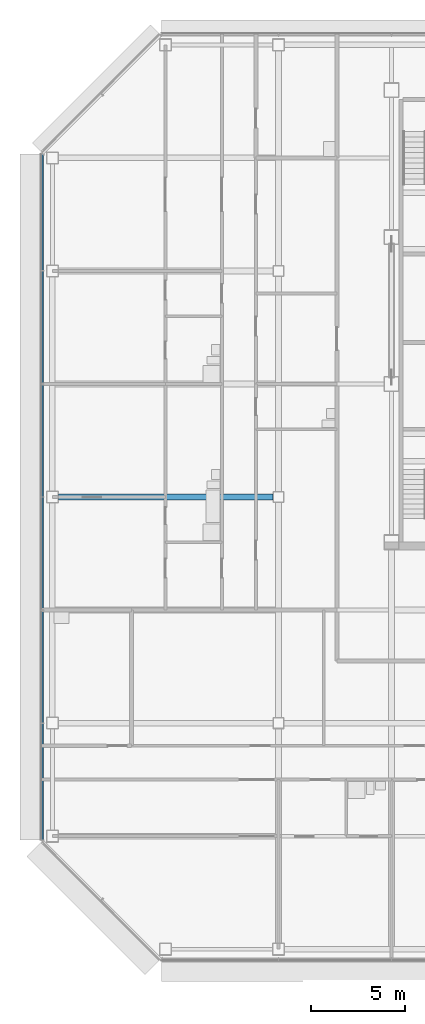
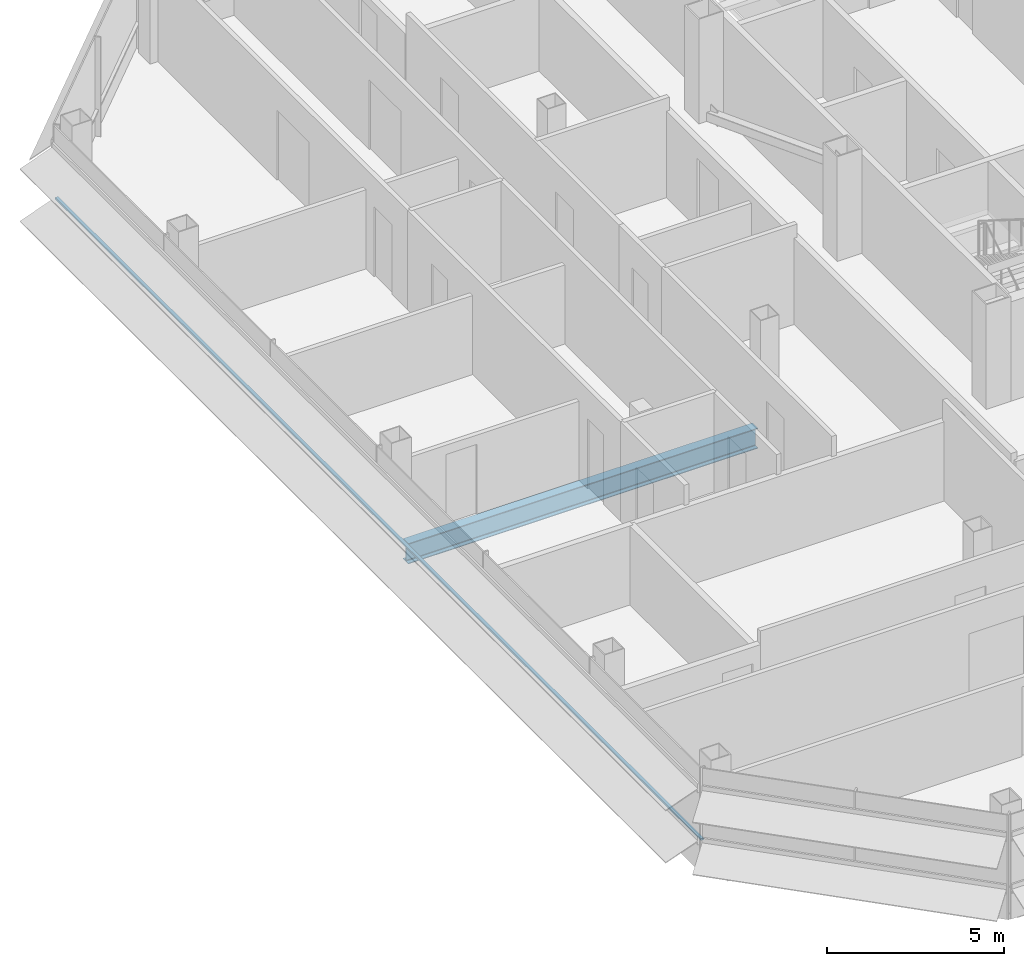
# One storey, part 5 of 27: 1 beam, 1 member, 1 element without a shape of its own.
"""IFC4 building model written with IfcOpenShell, lengths in metres."""

from ifc_helpers import new_model, si_unit, direction, frame, origin, origin_2d, place, context, subcontext, project, spatial, rectangle, i_section, extrude, material, material_profile, profile_set, type_object, element, aggregate, save


model = new_model("IFC4")

# Units and contexts
model_context = context("Model", 3, precision=1e-05, world=origin(), true_north=direction((0.0, 1.0)))
body_context = subcontext(model_context, "Body", "Model", "MODEL_VIEW")
ifc_project = project(units=[si_unit("LENGTHUNIT", "METRE"), si_unit("AREAUNIT", "SQUARE_METRE"), si_unit("VOLUMEUNIT", "CUBIC_METRE"), si_unit("PLANEANGLEUNIT", "RADIAN"), si_unit("MASSUNIT", "GRAM", prefix="KILO")], contexts=[model_context])

# Site, building, storey
site_placement = place(None, origin())
site = spatial("IfcSite", under=ifc_project, at=site_placement, CompositionType="ELEMENT")
building_placement = place(site_placement, origin())
building = spatial("IfcBuilding", under=site, at=building_placement, Name="Sorahane Residences", CompositionType="ELEMENT")
storey_placement = place(building_placement, frame((0.0, 0.0, 202.800048828125)))
storey = spatial("IfcBuildingStorey", under=building, at=storey_placement, Name="L47", CompositionType="ELEMENT", Elevation=202.800048828125)

# Curtain wall, member
ifc_material_1 = material(Name="Dark low-e glass and black anodised aluminium", Category="aluminium")
curtain_wall_type = type_object("IfcCurtainWallType", Name="Curtain wall CW-1 Typical unitised wall", PredefinedType="NOTDEFINED", material=ifc_material_1)
curtain_wall_placement = place(storey_placement, origin())
curtain_wall = element("IfcCurtainWall", 1, at=curtain_wall_placement, inside=storey, type_object=curtain_wall_type, Name="CW-1 curtain wall L47 W1", PredefinedType="NOTDEFINED")
ifc_material_2 = material(Name="Black anodised aluminium", Category="aluminium")
ifc_material_profile_1 = material_profile(ifc_material_2, rectangle(XDim=0.10009765625, YDim=0.06005859375, at=origin_2d()), Name="Curtain wall transom CW-1 black anodised aluminium 60x100")
ifc_profile_set_1 = profile_set([ifc_material_profile_1], Name="Black anodised aluminium")
member_type = type_object("IfcMemberType", Name="Curtain wall transom CW-1 black anodised aluminium 60x100", PredefinedType="USERDEFINED", material=ifc_profile_set_1)
member_placement = place(storey_placement, frame((-12.530029296875, 42.198486328125, 0.89990234375), z_axis=(0.0, -1.0, 0.0), x_axis=(1.0, 0.0, 0.0)))
member = element("IfcMember", 2, at=member_placement, type_object=member_type, Name="CW-1 transom L47 W1", ObjectType="TRANSOM", PredefinedType="USERDEFINED", context=body_context, shape_type="SweptSolid", body=[
    extrude(rectangle(XDim=0.10009765625, YDim=0.06005859375, at=origin_2d()), origin(), (0.0, 0.0, 1.0), 36.39697265625),
])
aggregate(curtain_wall, [member])

# Beam
ifc_material_3 = material(Name="Steel Q355B", Category="steel")
ifc_material_profile_2 = material_profile(ifc_material_3, i_section(OverallWidth=0.300048828125, OverallDepth=0.699951171875, WebThickness=0.012939453125, FlangeThickness=0.02392578125, FilletRadius=0.028076171875, at=origin_2d()), Name="HN 700x300x13x24")
ifc_profile_set_2 = profile_set([ifc_material_profile_2], Name="Steel Q355B")
beam_type = type_object("IfcBeamType", Name="Steel floor beam HN 700x300x13x24 Q355B", PredefinedType="BEAM", material=ifc_profile_set_2)
beam_placement = place(storey_placement, frame((-11.675048828125, 24.0, -0.530029296875), z_axis=(1.0, 0.0, 0.0), x_axis=(0.0, 1.0, 0.0)))
element("IfcBeam", 3, at=beam_placement, inside=storey, type_object=beam_type, Name="Beam L47 011", PredefinedType="BEAM", context=body_context, shape_type="SweptSolid", body=[
    extrude(i_section(OverallWidth=0.300048828125, OverallDepth=0.699951171875, WebThickness=0.012939453125, FlangeThickness=0.02392578125, FilletRadius=0.028076171875, at=origin_2d()), origin(), (0.0, 0.0, 1.0), 11.375),
])

save(model, "model.ifc")
